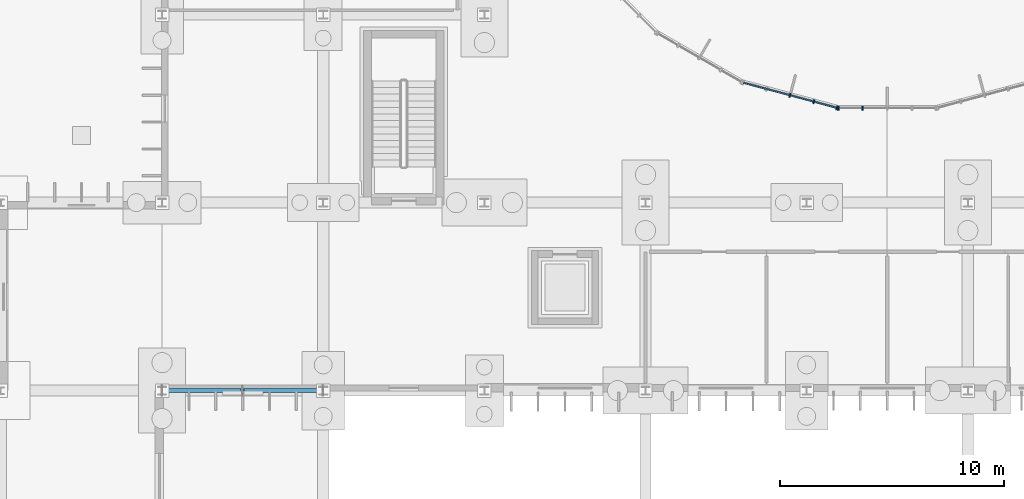
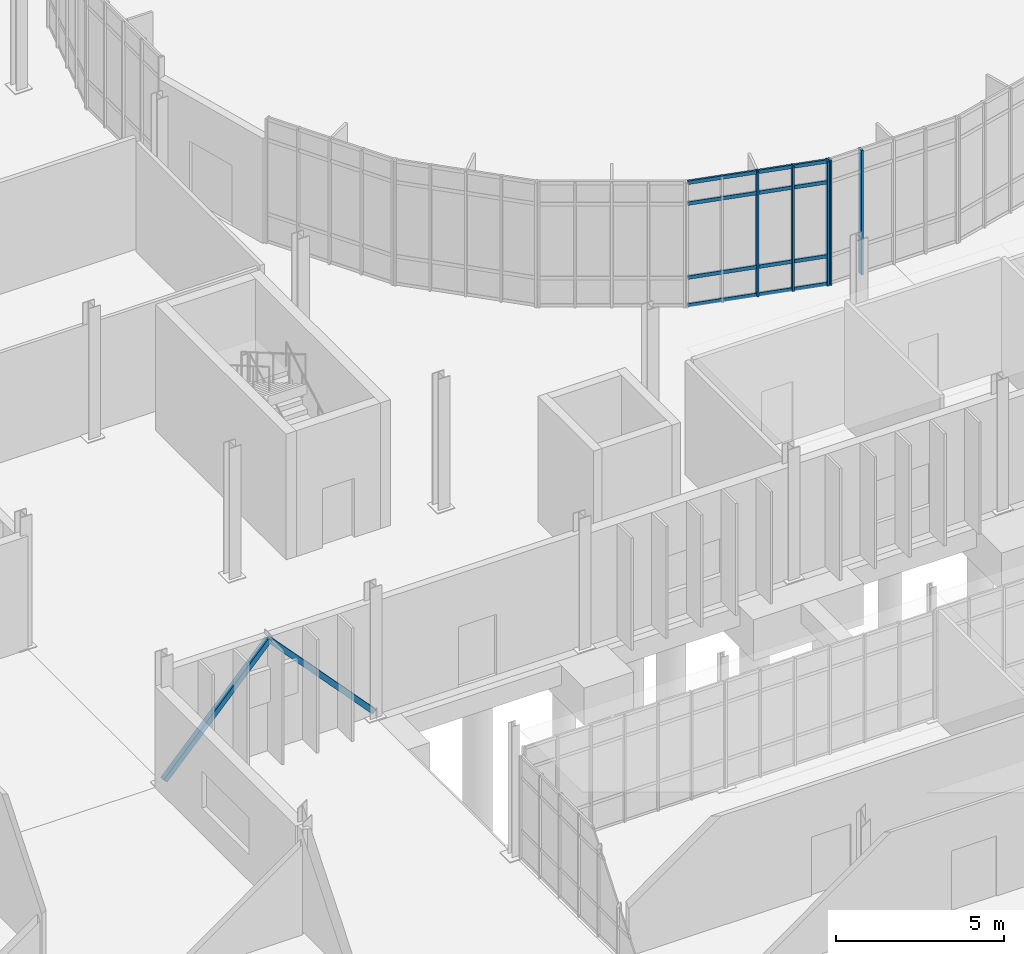
# One storey, part 37 of 118: 11 members, 2 elements without a shape of their own.
"""IFC4 building model written with IfcOpenShell, lengths in metres."""

from ifc_helpers import new_model, si_unit, direction, frame, origin, origin_2d, place, context, subcontext, project, spatial, rectangle, hollow_rectangle, extrude, material, material_profile, profile_set, type_object, element, aggregate, save


model = new_model("IFC4")

# Units and contexts
model_context = context("Model", 3, precision=1e-05, world=origin(), true_north=direction((0.0, 1.0)))
body_context = subcontext(model_context, "Body", "Model", "MODEL_VIEW")
ifc_project = project(units=[si_unit("LENGTHUNIT", "METRE"), si_unit("AREAUNIT", "SQUARE_METRE"), si_unit("VOLUMEUNIT", "CUBIC_METRE"), si_unit("PLANEANGLEUNIT", "RADIAN"), si_unit("MASSUNIT", "GRAM", prefix="KILO")], contexts=[model_context])

# Site, building, storey
site_placement = place(None, origin())
site = spatial("IfcSite", under=ifc_project, at=site_placement, CompositionType="ELEMENT")
building_placement = place(site_placement, origin())
building = spatial("IfcBuilding", under=site, at=building_placement, Name="Qelthora Terrace Specialist Clinic", CompositionType="ELEMENT")
storey_placement = place(building_placement, origin())
storey = spatial("IfcBuildingStorey", under=building, at=storey_placement, Name="L00", CompositionType="ELEMENT", Elevation=0.0)

# Curtain wall, members
ifc_material_1 = material(Name="Aluminium anodized bronze", Category="aluminium")
curtain_wall_type = type_object("IfcCurtainWallType", Name="CW-CRTE-L00", PredefinedType="NOTDEFINED", material=ifc_material_1)
curtain_wall_1_placement = place(storey_placement, origin())
curtain_wall_1 = element("IfcCurtainWall", 1, at=curtain_wall_1_placement, inside=storey, type_object=curtain_wall_type, Name="Curtain wall CW-CE-L00-17", PredefinedType="NOTDEFINED")
ifc_material_profile_1 = material_profile(ifc_material_1, rectangle(XDim=0.06494140625, YDim=0.179931640625, at=origin_2d()), Name="CWM65X180")
ifc_profile_set_1 = profile_set([ifc_material_profile_1], Name="Aluminium anodized bronze")
member_type_1 = type_object("IfcMemberType", Name="CWM-65X180", PredefinedType="MULLION", material=ifc_profile_set_1)
member_1_placement = place(storey_placement, frame((121.657958984375, 46.79541015625, 0.0), z_axis=(0.0, 0.0, 1.0), x_axis=(0.965925660235, -0.258819664824, 0.0)))
member_1 = element("IfcMember", 2, at=member_1_placement, type_object=member_type_1, Name="CW-CE-L00-17 mullion 3", PredefinedType="MULLION", context=body_context, shape_type="SweptSolid", body=[
    extrude(rectangle(XDim=0.06494140625, YDim=0.179931640625, at=origin_2d()), origin(), (0.0, 0.0, 1.0), 4.544921875),
])
member_2_placement = place(storey_placement, frame((122.717041015625, 46.511474609375, 0.0), z_axis=(0.0, 0.0, 1.0), x_axis=(0.965925660235, -0.258819664824, 0.0)))
member_2 = element("IfcMember", 3, at=member_2_placement, type_object=member_type_1, Name="CW-CE-L00-17 mullion 4", PredefinedType="MULLION", context=body_context, shape_type="SweptSolid", body=[
    extrude(rectangle(XDim=0.06494140625, YDim=0.179931640625, at=origin_2d()), origin(), (0.0, 0.0, 1.0), 4.544921875),
])
member_3_placement = place(storey_placement, frame((123.7568359375, 46.23291015625, 0.0), z_axis=(0.0, 0.0, 1.0), x_axis=(0.965925660235, -0.258819664824, 0.0)))
member_3 = element("IfcMember", 4, at=member_3_placement, type_object=member_type_1, Name="CW-CE-L00-17 mullion 5", PredefinedType="MULLION", context=body_context, shape_type="SweptSolid", body=[
    extrude(rectangle(XDim=0.06494140625, YDim=0.179931640625, at=origin_2d()), origin(), (0.0, 0.0, 1.0), 4.544921875),
])

curtain_wall_2_placement = place(storey_placement, origin())
curtain_wall_2 = element("IfcCurtainWall", 5, at=curtain_wall_2_placement, inside=storey, type_object=curtain_wall_type, Name="Curtain wall CW-CE-L00-18", PredefinedType="NOTDEFINED")
member_4_placement = place(storey_placement, frame((123.8271484375, 46.2236328125, 0.0), z_axis=(0.0, 0.0, 1.0), x_axis=(1.0, 0.0, 0.0)))
member_4 = element("IfcMember", 6, at=member_4_placement, type_object=member_type_1, Name="CW-CE-L00-18 mullion 1", PredefinedType="MULLION", context=body_context, shape_type="SweptSolid", body=[
    extrude(rectangle(XDim=0.06494140625, YDim=0.179931640625, at=origin_2d()), origin(), (0.0, 0.0, 1.0), 4.544921875),
])
member_5_placement = place(storey_placement, frame((124.903564453125, 46.2236328125, 0.0), z_axis=(0.0, 0.0, 1.0), x_axis=(1.0, 0.0, 0.0)))
member_5 = element("IfcMember", 7, at=member_5_placement, type_object=member_type_1, Name="CW-CE-L00-18 mullion 2", PredefinedType="MULLION", context=body_context, shape_type="SweptSolid", body=[
    extrude(rectangle(XDim=0.06494140625, YDim=0.179931640625, at=origin_2d()), origin(), (0.0, 0.0, 1.0), 4.544921875),
])
aggregate(curtain_wall_2, [member_4, member_5])

# Member
ifc_material_profile_2 = material_profile(ifc_material_1, rectangle(XDim=0.06494140625, YDim=0.1298828125, at=origin_2d()), Name="CWT65X130")
ifc_profile_set_2 = profile_set([ifc_material_profile_2], Name="Aluminium anodized bronze")
member_type_2 = type_object("IfcMemberType", Name="CWT-65X130", PredefinedType="USERDEFINED", material=ifc_profile_set_2)
member_6_placement = place(storey_placement, frame((119.57861328125, 47.3525390625, 0.0400390625), z_axis=(0.965933119212, -0.25879182601, 0.0), x_axis=(0.25879182601, 0.965933119212, 0.0)))
member_6 = element("IfcMember", 8, at=member_6_placement, type_object=member_type_2, Name="CW-CE-L00-17 transom 1", ObjectType="TRANSOM", PredefinedType="USERDEFINED", context=body_context, shape_type="SweptSolid", body=[
    extrude(rectangle(XDim=0.06494140625, YDim=0.1298828125, at=origin_2d()), origin(), (0.0, 0.0, 1.0), 4.3056640625),
])

member_7_placement = place(storey_placement, frame((119.57861328125, 47.3525390625, 1.050048828125), z_axis=(0.965933119212, -0.25879182601, 0.0), x_axis=(0.25879182601, 0.965933119212, 0.0)))
member_7 = element("IfcMember", 9, at=member_7_placement, type_object=member_type_2, Name="CW-CE-L00-17 transom 2", ObjectType="TRANSOM", PredefinedType="USERDEFINED", context=body_context, shape_type="SweptSolid", body=[
    extrude(rectangle(XDim=0.06494140625, YDim=0.1298828125, at=origin_2d()), origin(), (0.0, 0.0, 1.0), 4.3056640625),
])

member_8_placement = place(storey_placement, frame((119.57861328125, 47.3525390625, 3.7451171875), z_axis=(0.965933119212, -0.25879182601, 0.0), x_axis=(0.25879182601, 0.965933119212, 0.0)))
member_8 = element("IfcMember", 10, at=member_8_placement, type_object=member_type_2, Name="CW-CE-L00-17 transom 3", ObjectType="TRANSOM", PredefinedType="USERDEFINED", context=body_context, shape_type="SweptSolid", body=[
    extrude(rectangle(XDim=0.06494140625, YDim=0.1298828125, at=origin_2d()), origin(), (0.0, 0.0, 1.0), 4.3056640625),
])

member_9_placement = place(storey_placement, frame((119.57861328125, 47.3525390625, 4.5048828125), z_axis=(0.965933119212, -0.25879182601, 0.0), x_axis=(0.25879182601, 0.965933119212, 0.0)))
member_9 = element("IfcMember", 11, at=member_9_placement, type_object=member_type_2, Name="CW-CE-L00-17 transom 4", ObjectType="TRANSOM", PredefinedType="USERDEFINED", context=body_context, shape_type="SweptSolid", body=[
    extrude(rectangle(XDim=0.06494140625, YDim=0.1298828125, at=origin_2d()), origin(), (0.0, 0.0, 1.0), 4.3056640625),
])

aggregate(curtain_wall_1, [member_1, member_2, member_3, member_6, member_7, member_8, member_9])

# Members
ifc_material_2 = material(Name="Steel S355", Category="steel")
ifc_material_profile_3 = material_profile(ifc_material_2, hollow_rectangle(XDim=0.179931640625, YDim=0.179931640625, WallThickness=0.010009765625, at=origin_2d()), Name="HSS180X180X10")
ifc_profile_set_3 = profile_set([ifc_material_profile_3], Name="Steel S355")
member_type_3 = type_object("IfcMemberType", Name="MEM-BRACE-HSS180", PredefinedType="BRACE", material=ifc_profile_set_3)
for number, where, z_axis, x_axis, name in (
    (12, (93.60009765625, 33.60009765625, 0.179931640625), (0.681078027728, 0.0, 0.732210844051), (0.0, 1.0, 0.0), "Concentric seismic chevron brace B8-L00A"),
    (13, (100.800048828125, 33.60009765625, 0.179931640625), (-0.681102790765, 0.0, 0.732187809522), (0.0, -1.0, 0.0), "Concentric seismic chevron brace B8-L00B"),
):
    element("IfcMember", number, at=place(storey_placement, frame(where, z_axis=z_axis, x_axis=x_axis)), inside=storey, type_object=member_type_3, Name=name, PredefinedType="BRACE", context=body_context, shape_type="SweptSolid", body=[
        extrude(hollow_rectangle(XDim=0.179931640625, YDim=0.179931640625, WallThickness=0.010009765625, at=origin_2d()), origin(), (0.0, 0.0, 1.0), 5.28564453125),
    ])

save(model, "model.ifc")
